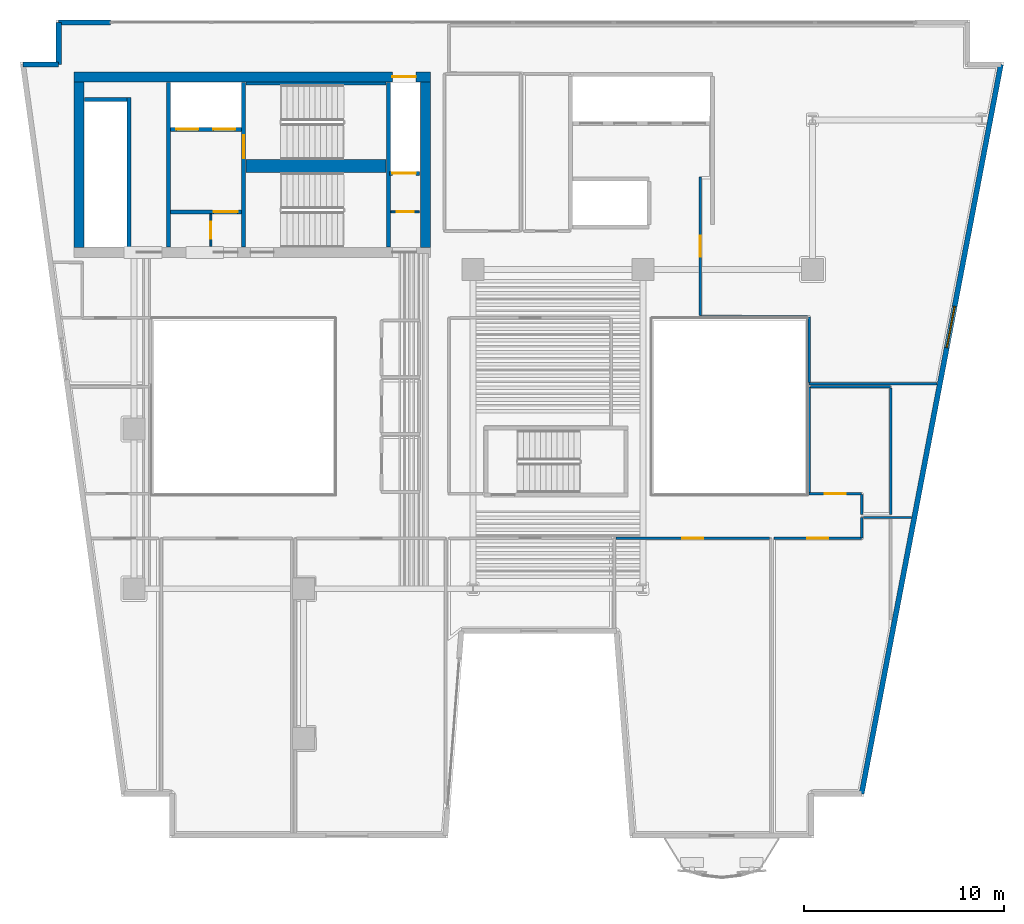
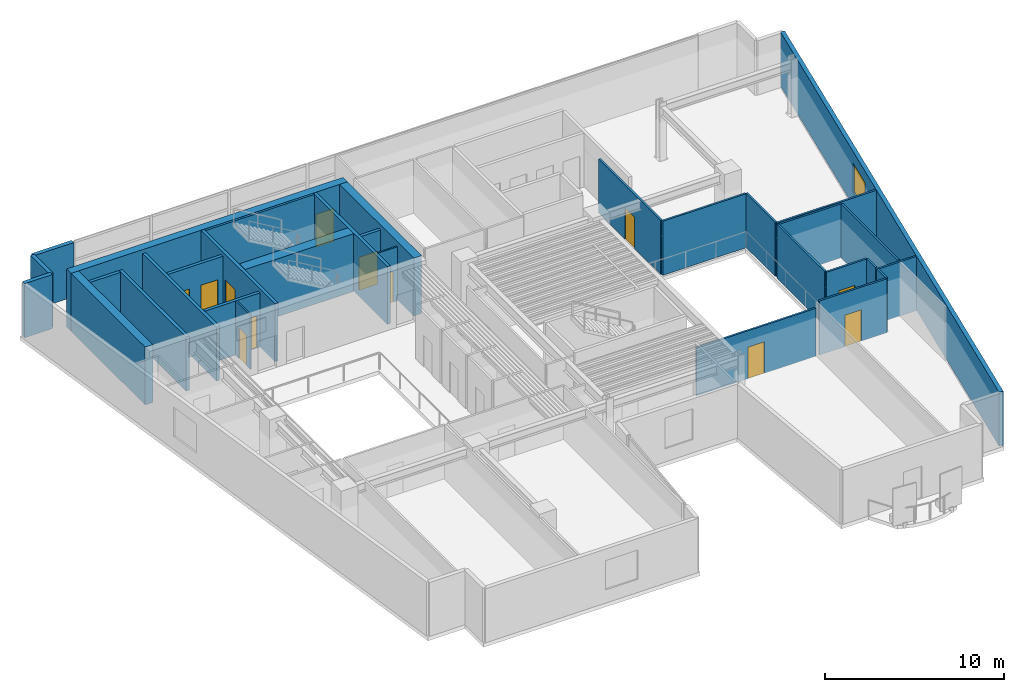
# One storey, part 7 of 13: 32 walls, 12 doors, 1 window, 13 openings.
"""IFC4 building model written with IfcOpenShell, lengths in metres."""

from ifc_helpers import new_model, si_unit, direction, frame, frame_2d, origin, place, context, subcontext, project, spatial, rectangle, extrude, material, layer, layer_set, type_object, element, fill, save


model = new_model("IFC4")

# Units and contexts
model_context = context("Model", 3, precision=1e-05, world=origin(), true_north=direction((0.0, 1.0)))
body_context = subcontext(model_context, "Body", "Model", "MODEL_VIEW")
ifc_project = project(units=[si_unit("LENGTHUNIT", "METRE"), si_unit("AREAUNIT", "SQUARE_METRE"), si_unit("VOLUMEUNIT", "CUBIC_METRE"), si_unit("PLANEANGLEUNIT", "RADIAN"), si_unit("MASSUNIT", "GRAM", prefix="KILO")], contexts=[model_context])

# Site, building, storey
site_placement = place(None, origin())
site = spatial("IfcSite", under=ifc_project, at=site_placement, CompositionType="ELEMENT")
building_placement = place(site_placement, origin())
building = spatial("IfcBuilding", under=site, at=building_placement, Name="Caeloran Harvest Quay", CompositionType="ELEMENT")
storey_placement = place(building_placement, frame((0.0, 0.0, 170.64990234375)))
storey = spatial("IfcBuildingStorey", under=building, at=storey_placement, Name="L40", CompositionType="ELEMENT", Elevation=170.64990234375)

# Walls
ifc_material_1 = material(Name="Precast concrete C50/60", Category="concrete")
ifc_layer_1 = layer(ifc_material_1, 0.260009765625, Name="Precast concrete C50/60")
ifc_layer_set_1 = layer_set([ifc_layer_1], Name="Precast concrete C50/60")
wall_type_1 = type_object("IfcWallType", Name="ENV-WALL-EW-260", PredefinedType="STANDARD", material=ifc_layer_set_1)
wall_1_placement = place(storey_placement, frame((2.939697265625, 41.27001953125, 0.0), z_axis=(0.0, 0.0, 1.0), x_axis=(1.0, 0.0, 0.0)))
element("IfcWall", 1, at=wall_1_placement, inside=storey, type_object=wall_type_1, Name="L40 Exterior Precast Concrete Facade Wall 4", PredefinedType="STANDARD", context=body_context, shape_type="SweptSolid", body=[
    extrude(rectangle(XDim=1.790283203125, YDim=0.260009765625, at=frame_2d((0.89501953125, 0.0))), origin(), (0.0, 0.0, 1.0), 3.690185546875),
])
wall_2_placement = place(storey_placement, frame((4.72998046875, 41.27001953125, 0.0), z_axis=(0.0, 0.0, 1.0), x_axis=(0.0, 1.0, 0.0)))
element("IfcWall", 2, at=wall_2_placement, inside=storey, type_object=wall_type_1, Name="L40 Exterior Precast Concrete Facade Wall 5", PredefinedType="STANDARD", context=body_context, shape_type="SweptSolid", body=[
    extrude(rectangle(XDim=2.10009765625, YDim=0.260009765625, at=frame_2d((1.050048828125, 0.0))), origin(), (0.0, 0.0, 1.0), 3.690185546875),
])
wall_3_placement = place(storey_placement, frame((4.72998046875, 43.3701171875, 0.0), z_axis=(0.0, 0.0, 1.0), x_axis=(1.0, 0.0, 0.0)))
element("IfcWall", 3, at=wall_3_placement, inside=storey, type_object=wall_type_1, Name="L40 Exterior Facade Corner Pier Wall 6A", PredefinedType="STANDARD", context=body_context, shape_type="SweptSolid", body=[
    extrude(rectangle(XDim=2.60009765625, YDim=0.260009765625, at=frame_2d((1.300048828125, 0.0))), origin(), (0.0, 0.0, 1.0), 3.690185546875),
])

# Wall, opening, window
wall_4_placement = place(storey_placement, frame((51.94189453125, 41.27001953125, 0.0), z_axis=(0.0, 0.0, 1.0), x_axis=(-0.187592192405, -0.982247000173, 0.0)))
wall_4 = element("IfcWall", 4, at=wall_4_placement, inside=storey, type_object=wall_type_1, Name="L40 Exterior Precast Concrete Facade Wall 9", PredefinedType="STANDARD", context=body_context, shape_type="SweptSolid", body=[
    extrude(rectangle(XDim=37.200439453125, YDim=0.260009765625, at=frame_2d((18.60009765625, 0.0))), origin(), (0.0, 0.0, 1.0), 3.690185546875),
])
opening_1_placement = place(wall_4_placement, frame((12.342041015625, 0.0, 0.89990234375)))
opening_1 = element("IfcOpeningElement", 5, at=opening_1_placement, cuts=wall_4, Name="Opening W-06", PredefinedType="OPENING", context=body_context, shape_type="SweptSolid", body=[
    extrude(rectangle(XDim=2.10009765625, YDim=2.0, at=frame_2d((1.050048828125, 1.0))), frame((0.0, 0.14013671875, 0.0), z_axis=(0.0, -1.0, 0.0), x_axis=(1.0, 0.0, 0.0)), (0.0, 0.0, 1.0), 0.280029296875),
])
ifc_material_2 = material(Name="Aluminium-Framed Low-E Laminated Glass", Category="aluminium")
window_type = type_object("IfcWindowType", Name="WIN-W-06", PartitioningType="DOUBLE_PANEL_VERTICAL", PredefinedType="WINDOW", material=ifc_material_2)
window_placement = place(opening_1_placement, origin())
window = element("IfcWindow", 6, at=window_placement, inside=storey, type_object=window_type, Name="L40 Facade Punched Window W-06", OverallHeight=2.0, OverallWidth=2.10009765625, PartitioningType="DOUBLE_PANEL_VERTICAL", PredefinedType="WINDOW", context=body_context, shape_type="SweptSolid", body=[
    extrude(rectangle(XDim=2.10009765625, YDim=2.0, at=frame_2d((1.050048828125, 1.0))), frame((0.0, 0.030029296875, 0.0), z_axis=(0.0, -1.0, 0.0), x_axis=(1.0, 0.0, 0.0)), (0.0, 0.0, 1.0), 0.06005859375),
])
fill(opening_1, window)

# Wall, opening, door
ifc_material_3 = material(Name="Fire-Resisting Gypsum Core Riser Partition", Category="gypsum")
ifc_layer_2 = layer(ifc_material_3, 0.10009765625, Name="Fire-Resisting Gypsum Core Riser Partition")
ifc_layer_set_2 = layer_set([ifc_layer_2], Name="Fire-Resisting Gypsum Core Riser Partition")
wall_type_2 = type_object("IfcWallType", Name="INT-WALL-PW-100", PredefinedType="PARTITIONING", material=ifc_layer_set_2)
wall_5_placement = place(storey_placement, frame((12.360107421875, 32.159912109375, 0.0), z_axis=(0.0, 0.0, 1.0), x_axis=(0.0, 1.0, 0.0)))
wall_5 = element("IfcWall", 7, at=wall_5_placement, inside=storey, type_object=wall_type_2, Name="L40 Core Store Partition Wall", PredefinedType="PARTITIONING", context=body_context, shape_type="SweptSolid", body=[
    extrude(rectangle(XDim=1.6201171875, YDim=0.10009765625, at=frame_2d((0.81005859375, 0.0))), origin(), (0.0, 0.0, 1.0), 3.690185546875),
])
opening_2_placement = place(wall_5_placement, frame((0.3798828125, 0.0, 0.0)))
opening_2 = element("IfcOpeningElement", 8, at=opening_2_placement, cuts=wall_5, Name="Opening SV-01", PredefinedType="OPENING", context=body_context, shape_type="SweptSolid", body=[
    extrude(rectangle(XDim=0.85009765625, YDim=2.10009765625, at=frame_2d((0.425048828125, 1.050048828125))), frame((0.0, 0.06005859375, 0.0), z_axis=(0.0, -1.0, 0.0), x_axis=(1.0, 0.0, 0.0)), (0.0, 0.0, 1.0), 0.1201171875),
])
ifc_material_4 = material(Name="Galvanized Painted Steel", Category="steel")
door_type_1 = type_object("IfcDoorType", Name="INTDOOR-SV-01", OperationType="NOTDEFINED", PredefinedType="DOOR", material=ifc_material_4)
door_1_placement = place(opening_2_placement, origin())
door_1 = element("IfcDoor", 9, at=door_1_placement, inside=storey, type_object=door_type_1, Name="L40 Core Service Room Access Door", OperationType="SINGLE_SWING_LEFT", OverallHeight=2.10009765625, OverallWidth=0.85009765625, PredefinedType="DOOR", context=body_context, shape_type="SweptSolid", body=[
    extrude(rectangle(XDim=0.85009765625, YDim=2.10009765625, at=frame_2d((0.425048828125, 1.050048828125))), frame((0.0, 0.02490234375, 0.0), z_axis=(0.0, -1.0, 0.0), x_axis=(1.0, 0.0, 0.0)), (0.0, 0.0, 1.0), 0.050048828125),
])
fill(opening_2, door_1)

wall_6_placement = place(storey_placement, frame((21.3798828125, 33.889892578125, 0.0), z_axis=(0.0, 0.0, 1.0), x_axis=(1.0, 0.0, 0.0)))
wall_6 = element("IfcWall", 10, at=wall_6_placement, inside=storey, type_object=wall_type_2, Name="L40 Cleaner Store Partition Wall", PredefinedType="PARTITIONING", context=body_context, shape_type="SweptSolid", body=[
    extrude(rectangle(XDim=1.420166015625, YDim=0.10009765625, at=frame_2d((0.7099609375, 0.0))), origin(), (0.0, 0.0, 1.0), 3.690185546875),
])
opening_3_placement = place(wall_6_placement, frame((0.280029296875, 0.0, 0.0)))
opening_3 = element("IfcOpeningElement", 11, at=opening_3_placement, cuts=wall_6, Name="Opening SV-01", PredefinedType="OPENING", context=body_context, shape_type="SweptSolid", body=[
    extrude(rectangle(XDim=0.85009765625, YDim=2.10009765625, at=frame_2d((0.425048828125, 1.050048828125))), frame((0.0, 0.06005859375, 0.0), z_axis=(0.0, -1.0, 0.0), x_axis=(1.0, 0.0, 0.0)), (0.0, 0.0, 1.0), 0.1201171875),
])
door_2_placement = place(opening_3_placement, origin())
door_2 = element("IfcDoor", 12, at=door_2_placement, inside=storey, type_object=door_type_1, Name="L40 Cleaner Supply Store Access Door", OperationType="SINGLE_SWING_RIGHT", OverallHeight=2.10009765625, OverallWidth=0.85009765625, PredefinedType="DOOR", context=body_context, shape_type="SweptSolid", body=[
    extrude(rectangle(XDim=0.85009765625, YDim=2.10009765625, at=frame_2d((0.425048828125, 1.050048828125))), frame((0.0, 0.02490234375, 0.0), z_axis=(0.0, -1.0, 0.0), x_axis=(1.0, 0.0, 0.0)), (0.0, 0.0, 1.0), 0.050048828125),
])
fill(opening_3, door_2)

ifc_material_5 = material(Name="Twin-Stud Mineral-Wool Acoustic Gypsum Partition", Category="gypsum")
ifc_layer_3 = layer(ifc_material_5, 0.125, Name="Twin-Stud Mineral-Wool Acoustic Gypsum Partition")
ifc_layer_set_3 = layer_set([ifc_layer_3], Name="Twin-Stud Mineral-Wool Acoustic Gypsum Partition")
wall_type_3 = type_object("IfcWallType", Name="INT-WALL-PW-125", PredefinedType="PARTITIONING", material=ifc_layer_set_3)
wall_7_placement = place(storey_placement, frame((32.6474609375, 17.52001953125, 0.0), z_axis=(0.0, 0.0, 1.0), x_axis=(1.0, 0.0, 0.0)))
wall_7 = element("IfcWall", 13, at=wall_7_placement, inside=storey, type_object=wall_type_3, Name="Culinary Product Studio Partition Wall", PredefinedType="PARTITIONING", context=body_context, shape_type="SweptSolid", body=[
    extrude(rectangle(XDim=7.705078125, YDim=0.125, at=frame_2d((3.8525390625, 0.0))), origin(), (0.0, 0.0, 1.0), 3.275146484375),
])
opening_4_placement = place(wall_7_placement, frame((3.327392578125, 0.0, 0.0)))
opening_4 = element("IfcOpeningElement", 14, at=opening_4_placement, cuts=wall_7, Name="Opening ID-03", PredefinedType="OPENING", context=body_context, shape_type="SweptSolid", body=[
    extrude(rectangle(XDim=1.050048828125, YDim=2.14990234375, at=frame_2d((0.52490234375, 1.074951171875))), frame((0.0, 0.072509765625, 0.0), z_axis=(0.0, -1.0, 0.0), x_axis=(1.0, 0.0, 0.0)), (0.0, 0.0, 1.0), 0.14501953125),
])
ifc_material_6 = material(Name="FSC Solid-Core Oak Timber Leaf", Category="wood")
door_type_2 = type_object("IfcDoorType", Name="INTDOOR-ID-03", OperationType="NOTDEFINED", PredefinedType="DOOR", material=ifc_material_6)
door_3_placement = place(opening_4_placement, origin())
door_3 = element("IfcDoor", 15, at=door_3_placement, inside=storey, type_object=door_type_2, Name="Culinary Product Studio Access Door", OperationType="SINGLE_SWING_LEFT", OverallHeight=2.14990234375, OverallWidth=1.050048828125, PredefinedType="DOOR", context=body_context, shape_type="SweptSolid", body=[
    extrude(rectangle(XDim=1.050048828125, YDim=2.14990234375, at=frame_2d((0.52490234375, 1.074951171875))), frame((0.0, 0.02490234375, 0.0), z_axis=(0.0, -1.0, 0.0), x_axis=(1.0, 0.0, 0.0)), (0.0, 0.0, 1.0), 0.050048828125),
])
fill(opening_4, door_3)

# Walls
wall_8_placement = place(storey_placement, frame((44.97998046875, 17.550048828125, 0.0), z_axis=(0.0, 0.0, 1.0), x_axis=(0.0, 1.0, 0.0)))
element("IfcWall", 16, at=wall_8_placement, inside=storey, type_object=wall_type_3, Name="Investor Dining Salon Lounge Partition Wall", PredefinedType="PARTITIONING", context=body_context, shape_type="SweptSolid", body=[
    extrude(rectangle(XDim=1.02001953125, YDim=0.125, at=frame_2d((0.510009765625, 0.0))), origin(), (0.0, 0.0, 1.0), 3.690185546875),
])
wall_9_placement = place(storey_placement, frame((45.047607421875, 18.570068359375, 0.0), z_axis=(0.0, 0.0, 1.0), x_axis=(1.0, 0.0, 0.0)))
element("IfcWall", 17, at=wall_9_placement, inside=storey, type_object=wall_type_3, Name="Investor Dining Salon Lounge Partition Wall", PredefinedType="PARTITIONING", context=body_context, shape_type="SweptSolid", body=[
    extrude(rectangle(XDim=2.421630859375, YDim=0.125, at=frame_2d((1.2109375, 0.0))), origin(), (0.0, 0.0, 1.0), 3.690185546875),
])

# Wall, opening, door
wall_10_placement = place(storey_placement, frame((40.580078125, 17.52001953125, 0.0), z_axis=(0.0, 0.0, 1.0), x_axis=(1.0, 0.0, 0.0)))
wall_10 = element("IfcWall", 18, at=wall_10_placement, inside=storey, type_object=wall_type_3, Name="Investor Dining Salon Lounge Partition Wall", PredefinedType="PARTITIONING", context=body_context, shape_type="SweptSolid", body=[
    extrude(rectangle(XDim=4.369873046875, YDim=0.125, at=frame_2d((2.18505859375, 0.0))), origin(), (0.0, 0.0, 1.0), 3.690185546875),
])
opening_5_placement = place(wall_10_placement, frame((1.659912109375, 0.0, 0.0)))
opening_5 = element("IfcOpeningElement", 19, at=opening_5_placement, cuts=wall_10, Name="Opening ID-03", PredefinedType="OPENING", context=body_context, shape_type="SweptSolid", body=[
    extrude(rectangle(XDim=1.050048828125, YDim=2.14990234375, at=frame_2d((0.52490234375, 1.074951171875))), frame((0.0, 0.072509765625, 0.0), z_axis=(0.0, -1.0, 0.0), x_axis=(1.0, 0.0, 0.0)), (0.0, 0.0, 1.0), 0.14501953125),
])
door_4_placement = place(opening_5_placement, origin())
door_4 = element("IfcDoor", 20, at=door_4_placement, inside=storey, type_object=door_type_2, Name="Investor Dining Salon Lounge Access Door", OperationType="SINGLE_SWING_RIGHT", OverallHeight=2.14990234375, OverallWidth=1.050048828125, PredefinedType="DOOR", context=body_context, shape_type="SweptSolid", body=[
    extrude(rectangle(XDim=1.050048828125, YDim=2.14990234375, at=frame_2d((0.52490234375, 1.074951171875))), frame((0.0, 0.02490234375, 0.0), z_axis=(0.0, -1.0, 0.0), x_axis=(1.0, 0.0, 0.0)), (0.0, 0.0, 1.0), 0.050048828125),
])
fill(opening_5, door_4)

wall_11_placement = place(storey_placement, frame((44.949951171875, 19.75, 0.0), z_axis=(0.0, 0.0, 1.0), x_axis=(-1.0, 0.0, 0.0)))
wall_11 = element("IfcWall", 21, at=wall_11_placement, inside=storey, type_object=wall_type_3, Name="Summit Boardroom Partition Wall", PredefinedType="PARTITIONING", context=body_context, shape_type="SweptSolid", body=[
    extrude(rectangle(XDim=2.619873046875, YDim=0.125, at=frame_2d((1.31005859375, 0.0))), origin(), (0.0, 0.0, 1.0), 3.690185546875),
])
opening_6_placement = place(wall_11_placement, frame((0.784912109375, 0.0, 0.0)))
opening_6 = element("IfcOpeningElement", 22, at=opening_6_placement, cuts=wall_11, Name="Opening ID-03", PredefinedType="OPENING", context=body_context, shape_type="SweptSolid", body=[
    extrude(rectangle(XDim=1.050048828125, YDim=2.14990234375, at=frame_2d((0.52490234375, 1.074951171875))), frame((0.0, 0.072509765625, 0.0), z_axis=(0.0, -1.0, 0.0), x_axis=(1.0, 0.0, 0.0)), (0.0, 0.0, 1.0), 0.14501953125),
])
door_5_placement = place(opening_6_placement, origin())
door_5 = element("IfcDoor", 23, at=door_5_placement, inside=storey, type_object=door_type_2, Name="Summit Boardroom Access Door", OperationType="SINGLE_SWING_LEFT", OverallHeight=2.14990234375, OverallWidth=1.050048828125, PredefinedType="DOOR", context=body_context, shape_type="SweptSolid", body=[
    extrude(rectangle(XDim=1.050048828125, YDim=2.14990234375, at=frame_2d((0.52490234375, 1.074951171875))), frame((0.0, 0.02490234375, 0.0), z_axis=(0.0, -1.0, 0.0), x_axis=(1.0, 0.0, 0.0)), (0.0, 0.0, 1.0), 0.050048828125),
])
fill(opening_6, door_5)

# Walls
wall_12_placement = place(storey_placement, frame((42.330078125, 19.8173828125, 0.0), z_axis=(0.0, 0.0, 1.0), x_axis=(0.0, 1.0, 0.0)))
element("IfcWall", 24, at=wall_12_placement, inside=storey, type_object=wall_type_3, Name="Summit Boardroom Partition Wall", PredefinedType="PARTITIONING", context=body_context, shape_type="SweptSolid", body=[
    extrude(rectangle(XDim=5.302734375, YDim=0.125, at=frame_2d((2.6513671875, 0.0))), origin(), (0.0, 0.0, 1.0), 3.690185546875),
])
wall_13_placement = place(storey_placement, frame((42.3974609375, 25.1201171875, 0.0), z_axis=(0.0, 0.0, 1.0), x_axis=(1.0, 0.0, 0.0)))
element("IfcWall", 25, at=wall_13_placement, inside=storey, type_object=wall_type_3, Name="Summit Boardroom Partition Wall", PredefinedType="PARTITIONING", context=body_context, shape_type="SweptSolid", body=[
    extrude(rectangle(XDim=4.0224609375, YDim=0.125, at=frame_2d((2.01123046875, 0.0))), origin(), (0.0, 0.0, 1.0), 3.690185546875),
])
wall_14_placement = place(storey_placement, frame((46.419921875, 25.052490234375, 0.0), z_axis=(0.0, 0.0, 1.0), x_axis=(0.0, -1.0, 0.0)))
element("IfcWall", 26, at=wall_14_placement, inside=storey, type_object=wall_type_3, Name="Summit Boardroom Partition Wall", PredefinedType="PARTITIONING", context=body_context, shape_type="SweptSolid", body=[
    extrude(rectangle(XDim=6.322509765625, YDim=0.125, at=frame_2d((3.1611328125, 0.0))), origin(), (0.0, 0.0, 1.0), 3.690185546875),
])
wall_15_placement = place(storey_placement, frame((44.97998046875, 18.72998046875, 0.0), z_axis=(0.0, 0.0, 1.0), x_axis=(0.0, 1.0, 0.0)))
element("IfcWall", 27, at=wall_15_placement, inside=storey, type_object=wall_type_3, Name="Summit Boardroom Partition Wall", PredefinedType="PARTITIONING", context=body_context, shape_type="SweptSolid", body=[
    extrude(rectangle(XDim=0.989990234375, YDim=0.125, at=frame_2d((0.4951171875, 0.0))), origin(), (0.0, 0.0, 1.0), 3.690185546875),
])
wall_16_placement = place(storey_placement, frame((48.75048828125, 25.280029296875, 0.0), z_axis=(0.0, 0.0, 1.0), x_axis=(-1.0, 0.0, 0.0)))
element("IfcWall", 28, at=wall_16_placement, inside=storey, type_object=wall_type_3, Name="Investor Dining Salon Lounge 11 Partition Wall", PredefinedType="PARTITIONING", context=body_context, shape_type="SweptSolid", body=[
    extrude(rectangle(XDim=6.42041015625, YDim=0.125, at=frame_2d((3.210205078125, 0.0))), origin(), (0.0, 0.0, 1.0), 3.690185546875),
])
wall_17_placement = place(storey_placement, frame((42.330078125, 25.347412109375, 0.0), z_axis=(0.0, 0.0, 1.0), x_axis=(0.0, 1.0, 0.0)))
element("IfcWall", 29, at=wall_17_placement, inside=storey, type_object=wall_type_3, Name="Investor Dining Salon Lounge 11 Partition Wall", PredefinedType="PARTITIONING", context=body_context, shape_type="SweptSolid", body=[
    extrude(rectangle(XDim=3.282470703125, YDim=0.125, at=frame_2d((1.64111328125, 0.0))), origin(), (0.0, 0.0, 1.0), 3.690185546875),
])
wall_18_placement = place(storey_placement, frame((42.262451171875, 28.6298828125, 0.0), z_axis=(0.0, 0.0, 1.0), x_axis=(-1.0, 0.0, 0.0)))
element("IfcWall", 30, at=wall_18_placement, inside=storey, type_object=wall_type_3, Name="Investor Dining Salon Lounge 11 Partition Wall", PredefinedType="PARTITIONING", context=body_context, shape_type="SweptSolid", body=[
    extrude(rectangle(XDim=5.382568359375, YDim=0.125, at=frame_2d((2.69140625, 0.0))), origin(), (0.0, 0.0, 1.0), 3.690185546875),
])

# Wall, opening, door
wall_19_placement = place(storey_placement, frame((36.8798828125, 28.697509765625, 0.0), z_axis=(0.0, 0.0, 1.0), x_axis=(0.0, 1.0, 0.0)))
wall_19 = element("IfcWall", 31, at=wall_19_placement, inside=storey, type_object=wall_type_3, Name="Investor Dining Salon Lounge 11 Partition Wall", PredefinedType="PARTITIONING", context=body_context, shape_type="SweptSolid", body=[
    extrude(rectangle(XDim=6.922607421875, YDim=0.125, at=frame_2d((3.46142578125, 0.0))), origin(), (0.0, 0.0, 1.0), 3.690185546875),
])
opening_7_placement = place(wall_19_placement, frame((2.936279296875, 0.0, 0.0)))
opening_7 = element("IfcOpeningElement", 32, at=opening_7_placement, cuts=wall_19, Name="Opening ID-03", PredefinedType="OPENING", context=body_context, shape_type="SweptSolid", body=[
    extrude(rectangle(XDim=1.050048828125, YDim=2.14990234375, at=frame_2d((0.52490234375, 1.074951171875))), frame((0.0, 0.072509765625, 0.0), z_axis=(0.0, -1.0, 0.0), x_axis=(1.0, 0.0, 0.0)), (0.0, 0.0, 1.0), 0.14501953125),
])
door_6_placement = place(opening_7_placement, origin())
door_6 = element("IfcDoor", 33, at=door_6_placement, inside=storey, type_object=door_type_2, Name="Investor Dining Salon Lounge 11 Access Door", OperationType="SINGLE_SWING_LEFT", OverallHeight=2.14990234375, OverallWidth=1.050048828125, PredefinedType="DOOR", context=body_context, shape_type="SweptSolid", body=[
    extrude(rectangle(XDim=1.050048828125, YDim=2.14990234375, at=frame_2d((0.52490234375, 1.074951171875))), frame((0.0, 0.02490234375, 0.0), z_axis=(0.0, -1.0, 0.0), x_axis=(1.0, 0.0, 0.0)), (0.0, 0.0, 1.0), 0.050048828125),
])
fill(opening_7, door_6)

# Walls
ifc_material_7 = material(Name="Concrete C50/60", Category="concrete")
ifc_layer_4 = layer(ifc_material_7, 0.199951171875, Name="Concrete C50/60")
ifc_layer_set_4 = layer_set([ifc_layer_4], Name="Concrete C50/60")
wall_type_4 = type_object("IfcWallType", Name="INT-WALL-SW-200", PredefinedType="PARTITIONING", material=ifc_layer_set_4)
wall_20_placement = place(storey_placement, frame((8.260009765625, 32.1201171875, 0.0), z_axis=(0.0, 0.0, 1.0), x_axis=(0.0, 1.0, 0.0)))
element("IfcWall", 34, at=wall_20_placement, inside=storey, type_object=wall_type_4, Name="L40 Bank 3 Lift Shaft Wall", PredefinedType="PARTITIONING", context=body_context, shape_type="SweptSolid", body=[
    extrude(rectangle(XDim=7.5, YDim=0.199951171875, at=frame_2d((3.75, 0.0))), origin(), (0.0, 0.0, 1.0), 3.690185546875),
])
wall_21_placement = place(storey_placement, frame((6.02001953125, 39.52001953125, 0.0), z_axis=(0.0, 0.0, 1.0), x_axis=(1.0, 0.0, 0.0)))
element("IfcWall", 35, at=wall_21_placement, inside=storey, type_object=wall_type_4, Name="L40 Bank 3 Lift Shaft North End Wall", PredefinedType="PARTITIONING", context=body_context, shape_type="SweptSolid", body=[
    extrude(rectangle(XDim=2.119873046875, YDim=0.199951171875, at=frame_2d((1.06005859375, 0.0))), origin(), (0.0, 0.0, 1.0), 3.690185546875),
])
wall_22_placement = place(storey_placement, frame((10.219970703125, 32.1201171875, 0.0), z_axis=(0.0, 0.0, 1.0), x_axis=(0.0, 1.0, 0.0)))
element("IfcWall", 36, at=wall_22_placement, inside=storey, type_object=wall_type_4, Name="L40 Core Lobby Compartment Wall", PredefinedType="PARTITIONING", context=body_context, shape_type="SweptSolid", body=[
    extrude(rectangle(XDim=8.259765625, YDim=0.199951171875, at=frame_2d((4.1298828125, 0.0))), origin(), (0.0, 0.0, 1.0), 3.690185546875),
])

# Wall, openings, doors
wall_23_placement = place(storey_placement, frame((10.340087890625, 38.02001953125, 0.0), z_axis=(0.0, 0.0, 1.0), x_axis=(1.0, 0.0, 0.0)))
wall_23 = element("IfcWall", 37, at=wall_23_placement, inside=storey, type_object=wall_type_4, Name="L40 Firefighting Lift Shaft Wall", PredefinedType="PARTITIONING", context=body_context, shape_type="SweptSolid", body=[
    extrude(rectangle(XDim=3.539794921875, YDim=0.199951171875, at=frame_2d((1.77001953125, 0.0))), origin(), (0.0, 0.0, 1.0), 3.690185546875),
])
opening_8_placement = place(wall_23_placement, frame((0.284912109375, 0.0, 0.0)))
opening_8 = element("IfcOpeningElement", 38, at=opening_8_placement, cuts=wall_23, Name="Opening LD-01", PredefinedType="OPENING", context=body_context, shape_type="SweptSolid", body=[
    extrude(rectangle(XDim=1.10009765625, YDim=2.199951171875, at=frame_2d((0.550048828125, 1.10009765625))), frame((0.0, 0.10986328125, 0.0), z_axis=(0.0, -1.0, 0.0), x_axis=(1.0, 0.0, 0.0)), (0.0, 0.0, 1.0), 0.219970703125),
])
opening_9_placement = place(wall_23_placement, frame((2.135009765625, 0.0, 0.0)))
opening_9 = element("IfcOpeningElement", 39, at=opening_9_placement, cuts=wall_23, Name="Opening LD-01", PredefinedType="OPENING", context=body_context, shape_type="SweptSolid", body=[
    extrude(rectangle(XDim=1.10009765625, YDim=2.199951171875, at=frame_2d((0.550048828125, 1.10009765625))), frame((0.0, 0.10986328125, 0.0), z_axis=(0.0, -1.0, 0.0), x_axis=(1.0, 0.0, 0.0)), (0.0, 0.0, 1.0), 0.219970703125),
])
ifc_material_8 = material(Name="Stainless Steel Grade 316", Category="steel")
door_type_3 = type_object("IfcDoorType", Name="INTDOOR-LD-01", OperationType="NOTDEFINED", PredefinedType="DOOR", material=ifc_material_8)
door_7_placement = place(opening_8_placement, origin())
door_7 = element("IfcDoor", 40, at=door_7_placement, inside=storey, type_object=door_type_3, Name="Lift FF-1 Sliding Landing Door (L40)", OperationType="DOUBLE_DOOR_SLIDING", OverallHeight=2.199951171875, OverallWidth=1.10009765625, PredefinedType="DOOR", context=body_context, shape_type="SweptSolid", body=[
    extrude(rectangle(XDim=1.10009765625, YDim=2.199951171875, at=frame_2d((0.550048828125, 1.10009765625))), frame((0.0, 0.02490234375, 0.0), z_axis=(0.0, -1.0, 0.0), x_axis=(1.0, 0.0, 0.0)), (0.0, 0.0, 1.0), 0.050048828125),
])
fill(opening_8, door_7)
door_8_placement = place(opening_9_placement, origin())
door_8 = element("IfcDoor", 41, at=door_8_placement, inside=storey, type_object=door_type_3, Name="Lift FF-2 Sliding Landing Door (L40)", OperationType="DOUBLE_DOOR_SLIDING", OverallHeight=2.199951171875, OverallWidth=1.10009765625, PredefinedType="DOOR", context=body_context, shape_type="SweptSolid", body=[
    extrude(rectangle(XDim=1.10009765625, YDim=2.199951171875, at=frame_2d((0.550048828125, 1.10009765625))), frame((0.0, 0.02490234375, 0.0), z_axis=(0.0, -1.0, 0.0), x_axis=(1.0, 0.0, 0.0)), (0.0, 0.0, 1.0), 0.050048828125),
])
fill(opening_9, door_8)

# Wall, opening, door
wall_24_placement = place(storey_placement, frame((10.340087890625, 33.8798828125, 0.0), z_axis=(0.0, 0.0, 1.0), x_axis=(1.0, 0.0, 0.0)))
wall_24 = element("IfcWall", 42, at=wall_24_placement, inside=storey, type_object=wall_type_4, Name="L40 Firefighting Lift Lobby Enclosure Wall", PredefinedType="PARTITIONING", context=body_context, shape_type="SweptSolid", body=[
    extrude(rectangle(XDim=3.559814453125, YDim=0.199951171875, at=frame_2d((1.77978515625, 0.0))), origin(), (0.0, 0.0, 1.0), 3.690185546875),
])
opening_10_placement = place(wall_24_placement, frame((2.14990234375, 0.0, 0.0)))
opening_10 = element("IfcOpeningElement", 43, at=opening_10_placement, cuts=wall_24, Name="Opening FD-01", PredefinedType="OPENING", context=body_context, shape_type="SweptSolid", body=[
    extrude(rectangle(XDim=1.199951171875, YDim=2.199951171875, at=frame_2d((0.60009765625, 1.10009765625))), frame((0.0, 0.10986328125, 0.0), z_axis=(0.0, -1.0, 0.0), x_axis=(1.0, 0.0, 0.0)), (0.0, 0.0, 1.0), 0.219970703125),
])
ifc_material_9 = material(Name="Steel", Category="steel")
door_type_4 = type_object("IfcDoorType", Name="INTDOOR-FD-01", OperationType="NOTDEFINED", PredefinedType="DOOR", material=ifc_material_9)
door_9_placement = place(opening_10_placement, origin())
door_9 = element("IfcDoor", 44, at=door_9_placement, inside=storey, type_object=door_type_4, Name="L40 Firefighting Lift Lobby Smoke-Seal Fire Door", OperationType="SINGLE_SWING_LEFT", OverallHeight=2.199951171875, OverallWidth=1.199951171875, PredefinedType="DOOR", context=body_context, shape_type="SweptSolid", body=[
    extrude(rectangle(XDim=1.199951171875, YDim=2.199951171875, at=frame_2d((0.60009765625, 1.10009765625))), frame((0.0, 0.02490234375, 0.0), z_axis=(0.0, -1.0, 0.0), x_axis=(1.0, 0.0, 0.0)), (0.0, 0.0, 1.0), 0.050048828125),
])
fill(opening_10, door_9)

wall_25_placement = place(storey_placement, frame((21.300048828125, 35.820068359375, 0.0), z_axis=(0.0, 0.0, 1.0), x_axis=(1.0, 0.0, 0.0)))
wall_25 = element("IfcWall", 45, at=wall_25_placement, inside=storey, type_object=wall_type_4, Name="L40 Service Lift SV-2 Shaft Wall", PredefinedType="PARTITIONING", context=body_context, shape_type="SweptSolid", body=[
    extrude(rectangle(XDim=1.5, YDim=0.199951171875, at=frame_2d((0.75, 0.0))), origin(), (0.0, 0.0, 1.0), 3.690185546875),
])
opening_11_placement = place(wall_25_placement, frame((0.14501953125, 0.0, 0.0)))
opening_11 = element("IfcOpeningElement", 46, at=opening_11_placement, cuts=wall_25, Name="Opening LD-02", PredefinedType="OPENING", context=body_context, shape_type="SweptSolid", body=[
    extrude(rectangle(XDim=1.179931640625, YDim=2.25, at=frame_2d((0.58984375, 1.125))), frame((0.0, 0.10986328125, 0.0), z_axis=(0.0, -1.0, 0.0), x_axis=(1.0, 0.0, 0.0)), (0.0, 0.0, 1.0), 0.219970703125),
])
door_type_5 = type_object("IfcDoorType", Name="INTDOOR-LD-02", OperationType="NOTDEFINED", PredefinedType="DOOR", material=ifc_material_8)
door_10_placement = place(opening_11_placement, origin())
door_10 = element("IfcDoor", 47, at=door_10_placement, inside=storey, type_object=door_type_5, Name="Lift SV-2 Sliding Landing Door (L40)", OperationType="DOUBLE_DOOR_SLIDING", OverallHeight=2.25, OverallWidth=1.179931640625, PredefinedType="DOOR", context=body_context, shape_type="SweptSolid", body=[
    extrude(rectangle(XDim=1.179931640625, YDim=2.25, at=frame_2d((0.58984375, 1.125))), frame((0.0, 0.02490234375, 0.0), z_axis=(0.0, -1.0, 0.0), x_axis=(1.0, 0.0, 0.0)), (0.0, 0.0, 1.0), 0.050048828125),
])
fill(opening_11, door_10)

ifc_material_10 = material(Name="Concrete C70/85", Category="concrete")
ifc_layer_5 = layer(ifc_material_10, 0.5, Name="Concrete C70/85")
ifc_layer_set_5 = layer_set([ifc_layer_5], Name="Concrete C70/85")
wall_type_5 = type_object("IfcWallType", Name="STR-WALL-CW-500", PredefinedType="SHEAR", material=ifc_layer_set_5)
wall_26_placement = place(storey_placement, frame((5.5, 40.64990234375, 0.0), z_axis=(0.0, 0.0, 1.0), x_axis=(1.0, 0.0, 0.0)))
wall_26 = element("IfcWall", 48, at=wall_26_placement, inside=storey, type_object=wall_type_5, Name="L40 Rear Core Shear Wall N", PredefinedType="SHEAR", context=body_context, shape_type="SweptSolid", body=[
    extrude(rectangle(XDim=17.85009765625, YDim=0.5, at=frame_2d((8.925048828125, 0.0))), origin(), (0.0, 0.0, 1.0), 3.9501953125),
])
opening_12_placement = place(wall_26_placement, frame((15.945068359375, 0.0, 0.0)))
opening_12 = element("IfcOpeningElement", 49, at=opening_12_placement, cuts=wall_26, Name="Opening LD-02", PredefinedType="OPENING", context=body_context, shape_type="SweptSolid", body=[
    extrude(rectangle(XDim=1.179931640625, YDim=2.25, at=frame_2d((0.58984375, 1.125))), frame((0.0, 0.260009765625, 0.0), z_axis=(0.0, -1.0, 0.0), x_axis=(1.0, 0.0, 0.0)), (0.0, 0.0, 1.0), 0.52001953125),
])
door_11_placement = place(opening_12_placement, origin())
door_11 = element("IfcDoor", 50, at=door_11_placement, inside=storey, type_object=door_type_5, Name="Lift SV-1 Sliding Landing Door (L40)", OperationType="DOUBLE_DOOR_SLIDING", OverallHeight=2.25, OverallWidth=1.179931640625, PredefinedType="DOOR", context=body_context, shape_type="SweptSolid", body=[
    extrude(rectangle(XDim=1.179931640625, YDim=2.25, at=frame_2d((0.58984375, 1.125))), frame((0.0, 0.02490234375, 0.0), z_axis=(0.0, -1.0, 0.0), x_axis=(1.0, 0.0, 0.0)), (0.0, 0.0, 1.0), 0.050048828125),
])
fill(opening_12, door_11)

# Walls
for number, where, z_axis, x_axis, name in (
    (51, (5.75, 32.10009765625, 0.0), (0.0, 0.0, 1.0), (0.0, 1.0, 0.0), "L40 Rear Core Shear Wall W"),
    (52, (23.10009765625, 32.10009765625, 0.0), (0.0, 0.0, 1.0), (0.0, 1.0, 0.0), "L40 Rear Core Shear Wall E"),
):
    element("IfcWall", number, at=place(storey_placement, frame(where, z_axis=z_axis, x_axis=x_axis)), inside=storey, type_object=wall_type_5, Name=name, PredefinedType="SHEAR", context=body_context, shape_type="SweptSolid", body=[
        extrude(rectangle(XDim=8.2998046875, YDim=0.5, at=frame_2d((4.14990234375, 0.0))), origin(), (0.0, 0.0, 1.0), 3.9501953125),
    ])
ifc_material_11 = material(Name="Concrete C60/75", Category="concrete")
ifc_layer_6 = layer(ifc_material_11, 0.64990234375, Name="Concrete C60/75")
ifc_layer_set_6 = layer_set([ifc_layer_6], Name="Concrete C60/75")
wall_type_6 = type_object("IfcWallType", Name="STR-WALL-CW-650", PredefinedType="SHEAR", material=ifc_layer_set_6)
wall_27_placement = place(storey_placement, frame((14.1201171875, 36.175048828125, 0.0), z_axis=(0.0, 0.0, 1.0), x_axis=(1.0, 0.0, 0.0)))
element("IfcWall", 53, at=wall_27_placement, inside=storey, type_object=wall_type_6, Name="L40 Core Stairs Dividing Shear Wall", PredefinedType="SHEAR", context=body_context, shape_type="SweptSolid", body=[
    extrude(rectangle(XDim=7.009765625, YDim=0.64990234375, at=frame_2d((3.5048828125, 0.0))), origin(), (0.0, 0.0, 1.0), 3.9501953125),
])
ifc_layer_7 = layer(ifc_material_11, 0.139892578125, Name="Concrete C60/75")
ifc_layer_set_7 = layer_set([ifc_layer_7], Name="Concrete C60/75")
wall_type_7 = type_object("IfcWallType", Name="STR-WALL-SW-140", PredefinedType="SHEAR", material=ifc_layer_set_7)
wall_28_placement = place(storey_placement, frame((14.1201171875, 40.320068359375, 0.0), z_axis=(0.0, 0.0, 1.0), x_axis=(1.0, 0.0, 0.0)))
element("IfcWall", 54, at=wall_28_placement, inside=storey, type_object=wall_type_7, Name="L40 Core Stair ST-C1 North Bearing Shear Wall", PredefinedType="SHEAR", context=body_context, shape_type="SweptSolid", body=[
    extrude(rectangle(XDim=7.009765625, YDim=0.139892578125, at=frame_2d((3.5048828125, 0.0))), origin(), (0.0, 0.0, 1.0), 3.9501953125),
])

# Wall, opening, door
ifc_layer_8 = layer(ifc_material_11, 0.199951171875, Name="Concrete C60/75")
ifc_layer_set_8 = layer_set([ifc_layer_8], Name="Concrete C60/75")
wall_type_8 = type_object("IfcWallType", Name="STR-WALL-SW-200", PredefinedType="SHEAR", material=ifc_layer_set_8)
wall_29_placement = place(storey_placement, frame((14.0, 32.1201171875, 0.0), z_axis=(0.0, 0.0, 1.0), x_axis=(0.0, 1.0, 0.0)))
wall_29 = element("IfcWall", 55, at=wall_29_placement, inside=storey, type_object=wall_type_8, Name="L40 Core Stair Shaft West Shear Wall", PredefinedType="SHEAR", context=body_context, shape_type="SweptSolid", body=[
    extrude(rectangle(XDim=8.259765625, YDim=0.199951171875, at=frame_2d((4.1298828125, 0.0))), origin(), (0.0, 0.0, 1.0), 3.9501953125),
])
opening_13_placement = place(wall_29_placement, frame((4.4599609375, 0.0, 0.0)))
opening_13 = element("IfcOpeningElement", 56, at=opening_13_placement, cuts=wall_29, Name="Opening SD-01", PredefinedType="OPENING", context=body_context, shape_type="SweptSolid", body=[
    extrude(rectangle(XDim=1.14990234375, YDim=2.199951171875, at=frame_2d((0.574951171875, 1.10009765625))), frame((0.0, 0.10986328125, 0.0), z_axis=(0.0, -1.0, 0.0), x_axis=(1.0, 0.0, 0.0)), (0.0, 0.0, 1.0), 0.219970703125),
])
door_type_6 = type_object("IfcDoorType", Name="INTDOOR-SD-01", OperationType="NOTDEFINED", PredefinedType="DOOR", material=ifc_material_9)
door_12_placement = place(opening_13_placement, origin())
door_12 = element("IfcDoor", 57, at=door_12_placement, inside=storey, type_object=door_type_6, Name="L40 Protected Stair ST-C1 Exit Door", OperationType="SINGLE_SWING_LEFT", OverallHeight=2.199951171875, OverallWidth=1.14990234375, PredefinedType="DOOR", context=body_context, shape_type="SweptSolid", body=[
    extrude(rectangle(XDim=1.14990234375, YDim=2.199951171875, at=frame_2d((0.574951171875, 1.10009765625))), frame((0.0, 0.02490234375, 0.0), z_axis=(0.0, -1.0, 0.0), x_axis=(1.0, 0.0, 0.0)), (0.0, 0.0, 1.0), 0.050048828125),
])
fill(opening_13, door_12)

# Wall
wall_30_placement = place(storey_placement, frame((21.25, 32.1201171875, 0.0), z_axis=(0.0, 0.0, 1.0), x_axis=(0.0, 1.0, 0.0)))
element("IfcWall", 58, at=wall_30_placement, inside=storey, type_object=wall_type_8, Name="L40 Core Stair Shaft East Shear Wall", PredefinedType="SHEAR", context=body_context, shape_type="SweptSolid", body=[
    extrude(rectangle(XDim=8.259765625, YDim=0.199951171875, at=frame_2d((4.1298828125, 0.0))), origin(), (0.0, 0.0, 1.0), 3.9501953125),
])

save(model, "model.ifc")
